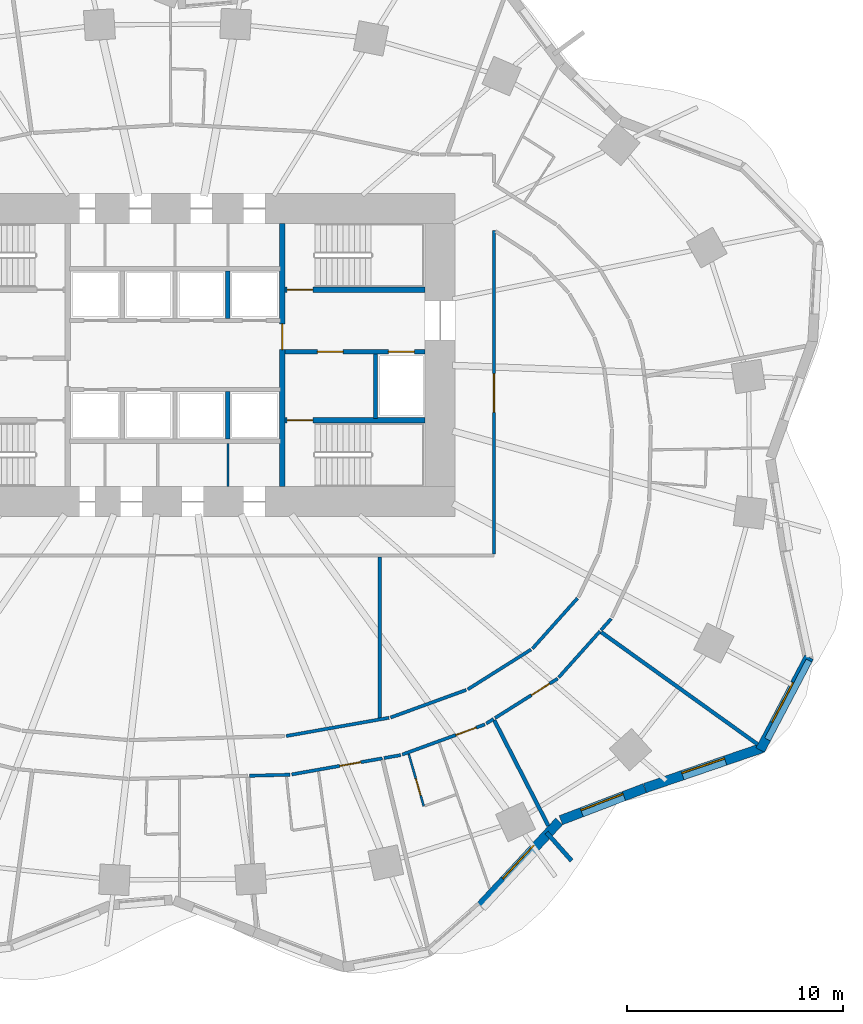
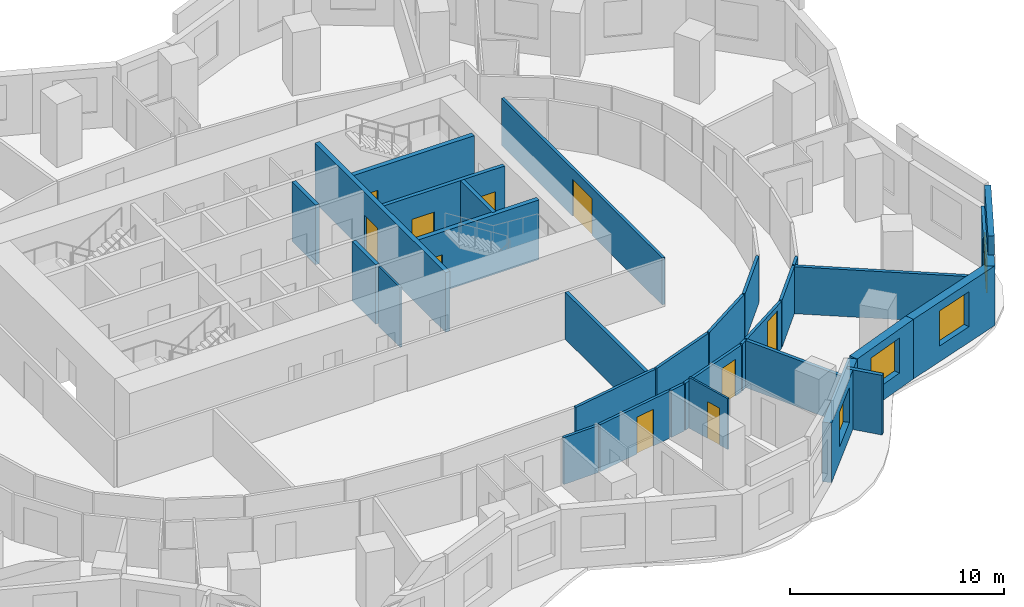
# One storey, part 6 of 11: 31 walls, 10 doors, 4 windows, 14 openings.
"""IFC4 building model written with IfcOpenShell, lengths in metres."""

from ifc_helpers import new_model, si_unit, direction, frame, frame_2d, origin, place, context, subcontext, project, spatial, rectangle, extrude, material, layer, layer_set, type_object, element, fill, save


model = new_model("IFC4")

# Units and contexts
model_context = context("Model", 3, precision=1e-05, world=origin(), true_north=direction((0.0, 1.0)))
body_context = subcontext(model_context, "Body", "Model", "MODEL_VIEW")
ifc_project = project(units=[si_unit("LENGTHUNIT", "METRE"), si_unit("AREAUNIT", "SQUARE_METRE"), si_unit("VOLUMEUNIT", "CUBIC_METRE"), si_unit("PLANEANGLEUNIT", "RADIAN"), si_unit("MASSUNIT", "GRAM", prefix="KILO")], contexts=[model_context])

# Site, building, storey
site_placement = place(None, origin())
site = spatial("IfcSite", under=ifc_project, at=site_placement, CompositionType="ELEMENT")
building_placement = place(site_placement, origin())
building = spatial("IfcBuilding", under=site, at=building_placement, Name="Rubra Terraces Tower", CompositionType="ELEMENT")
storey_placement = place(building_placement, frame((0.0, 0.0, 51.89990234375)))
storey = spatial("IfcBuildingStorey", under=building, at=storey_placement, Name="L10", CompositionType="ELEMENT", Elevation=51.89990234375)

# Walls
ifc_material_1 = material(Name="Twin plasterboard on staggered steel stud, acoustic mineral wool", Category="steel")
ifc_layer_1 = layer(ifc_material_1, 0.175048828125)
ifc_layer_set_1 = layer_set([ifc_layer_1], Name="Twin plasterboard on staggered steel stud, acoustic mineral wool")
wall_type_1 = type_object("IfcWallType", Name="ACOUSTIC PARTY WALL 175", PredefinedType="PARTITIONING", material=ifc_layer_set_1)
wall_1_placement = place(storey_placement, frame((17.322021484375, -17.347412109375, 0.0), z_axis=(0.0, 0.0, 1.0), x_axis=(-0.455844974843, 0.890059188431, 0.0)))
element("IfcWall", 1, at=wall_1_placement, inside=storey, type_object=wall_type_1, Name="PARTITION", PredefinedType="PARTITIONING", context=body_context, shape_type="SweptSolid", body=[
    extrude(rectangle(XDim=5.49658203125, YDim=0.175048828125, at=frame_2d((2.748291015625, 0.0))), origin(), (0.0, 0.0, 1.0), 2.68017578125),
])
wall_2_placement = place(storey_placement, frame((27.03271484375, -13.5654296875, 0.0), z_axis=(0.0, 0.0, 1.0), x_axis=(-0.812688040514, 0.58269902077, 0.0)))
element("IfcWall", 2, at=wall_2_placement, inside=storey, type_object=wall_type_1, Name="PARTITION", PredefinedType="PARTITIONING", context=body_context, shape_type="SweptSolid", body=[
    extrude(rectangle(XDim=8.926513671875, YDim=0.175048828125, at=frame_2d((4.46337890625, 0.0))), origin(), (0.0, 0.0, 1.0), 2.68017578125),
])
wall_3_placement = place(storey_placement, frame((9.5, -12.335205078125, 0.0), z_axis=(0.0, 0.0, 1.0), x_axis=(0.0, 1.0, 0.0)))
element("IfcWall", 3, at=wall_3_placement, inside=storey, type_object=wall_type_1, Name="PARTITION", PredefinedType="PARTITIONING", context=body_context, shape_type="SweptSolid", body=[
    extrude(rectangle(XDim=7.460205078125, YDim=0.175048828125, at=frame_2d((3.72998046875, 0.0))), origin(), (0.0, 0.0, 1.0), 2.68017578125),
])

# Wall, opening, window
ifc_material_2 = material(Name="Brick masonry red-brown", Category="masonry")
ifc_layer_2 = layer(ifc_material_2, 0.449951171875)
ifc_layer_set_2 = layer_set([ifc_layer_2], Name="Brick masonry red-brown")
wall_type_2 = type_object("IfcWallType", Name="Brick facade wall 450", PredefinedType="SOLIDWALL", material=ifc_layer_set_2)
wall_4_placement = place(storey_placement, frame((14.177490234375, -21.066162109375, 0.0), z_axis=(0.0, 0.0, 1.0), x_axis=(0.680847709714, 0.732425010617, 0.0)))
wall_4 = element("IfcWall", 4, at=wall_4_placement, inside=storey, type_object=wall_type_2, Name="Facade wall L10 bay 35", PredefinedType="SOLIDWALL", context=body_context, shape_type="SweptSolid", body=[
    extrude(rectangle(XDim=5.3583984375, YDim=0.449951171875, at=frame_2d((2.67919921875, 0.0))), origin(), (0.0, 0.0, 1.0), 3.400146484375),
])
opening_1_placement = place(wall_4_placement, frame((1.629150390625, 0.0, 0.89990234375)))
opening_1 = element("IfcOpeningElement", 5, at=opening_1_placement, cuts=wall_4, Name="Opening W1", PredefinedType="OPENING", context=body_context, shape_type="SweptSolid", body=[
    extrude(rectangle(XDim=2.10009765625, YDim=2.0, at=frame_2d((1.050048828125, 1.0))), frame((0.0, 0.23486328125, 0.0), z_axis=(0.0, -1.0, 0.0), x_axis=(1.0, 0.0, 0.0)), (0.0, 0.0, 1.0), 0.469970703125),
])
ifc_material_3 = material(Name="Clear glass in aluminium frame", Category="aluminium")
window_type = type_object("IfcWindowType", Name="Fixed deep-set window 2100 x 2000", PartitioningType="SINGLE_PANEL", PredefinedType="WINDOW", material=ifc_material_3)
window_1_placement = place(opening_1_placement, origin())
window_1 = element("IfcWindow", 6, at=window_1_placement, inside=storey, type_object=window_type, Name="Window L10 bay 35", OverallHeight=2.0, OverallWidth=2.10009765625, PartitioningType="SINGLE_PANEL", PredefinedType="WINDOW", context=body_context, shape_type="SweptSolid", body=[
    extrude(rectangle(XDim=2.10009765625, YDim=2.0, at=frame_2d((1.050048828125, 1.0))), frame((0.0, 0.135009765625, 0.0), z_axis=(0.0, -1.0, 0.0), x_axis=(1.0, 0.0, 0.0)), (0.0, 0.0, 1.0), 0.06005859375),
])
fill(opening_1, window_1)

wall_5_placement = place(storey_placement, frame((17.9033203125, -17.08740234375, 0.0), z_axis=(0.0, 0.0, 1.0), x_axis=(0.934145554025, 0.356892258105, 0.0)))
wall_5 = element("IfcWall", 7, at=wall_5_placement, inside=storey, type_object=wall_type_2, Name="Facade wall L10 bay 36", PredefinedType="SOLIDWALL", context=body_context, shape_type="SweptSolid", body=[
    extrude(rectangle(XDim=4.16455078125, YDim=0.449951171875, at=frame_2d((2.082275390625, 0.0))), origin(), (0.0, 0.0, 1.0), 3.400146484375),
])
opening_2_placement = place(wall_5_placement, frame((1.0322265625, 0.0, 0.89990234375)))
opening_2 = element("IfcOpeningElement", 8, at=opening_2_placement, cuts=wall_5, Name="Opening W1", PredefinedType="OPENING", context=body_context, shape_type="SweptSolid", body=[
    extrude(rectangle(XDim=2.10009765625, YDim=2.0, at=frame_2d((1.050048828125, 1.0))), frame((0.0, 0.23486328125, 0.0), z_axis=(0.0, -1.0, 0.0), x_axis=(1.0, 0.0, 0.0)), (0.0, 0.0, 1.0), 0.469970703125),
])
window_2_placement = place(opening_2_placement, origin())
window_2 = element("IfcWindow", 9, at=window_2_placement, inside=storey, type_object=window_type, Name="Window L10 bay 36", OverallHeight=2.0, OverallWidth=2.10009765625, PartitioningType="SINGLE_PANEL", PredefinedType="WINDOW", context=body_context, shape_type="SweptSolid", body=[
    extrude(rectangle(XDim=2.10009765625, YDim=2.0, at=frame_2d((1.050048828125, 1.0))), frame((0.0, 0.135009765625, 0.0), z_axis=(0.0, -1.0, 0.0), x_axis=(1.0, 0.0, 0.0)), (0.0, 0.0, 1.0), 0.06005859375),
])
fill(opening_2, window_2)

wall_6_placement = place(storey_placement, frame((21.802978515625, -15.597412109375, 0.0), z_axis=(0.0, 0.0, 1.0), x_axis=(0.946115314877, 0.323829910532, 0.0)))
wall_6 = element("IfcWall", 10, at=wall_6_placement, inside=storey, type_object=wall_type_2, Name="Facade wall L10 bay 37", PredefinedType="SOLIDWALL", context=body_context, shape_type="SweptSolid", body=[
    extrude(rectangle(XDim=5.782470703125, YDim=0.449951171875, at=frame_2d((2.89111328125, 0.0))), origin(), (0.0, 0.0, 1.0), 3.400146484375),
])
opening_3_placement = place(wall_6_placement, frame((1.84130859375, 0.0, 0.89990234375)))
opening_3 = element("IfcOpeningElement", 11, at=opening_3_placement, cuts=wall_6, Name="Opening W1", PredefinedType="OPENING", context=body_context, shape_type="SweptSolid", body=[
    extrude(rectangle(XDim=2.10009765625, YDim=2.0, at=frame_2d((1.050048828125, 1.0))), frame((0.0, 0.23486328125, 0.0), z_axis=(0.0, -1.0, 0.0), x_axis=(1.0, 0.0, 0.0)), (0.0, 0.0, 1.0), 0.469970703125),
])
window_3_placement = place(opening_3_placement, origin())
window_3 = element("IfcWindow", 12, at=window_3_placement, inside=storey, type_object=window_type, Name="Window L10 bay 37", OverallHeight=2.0, OverallWidth=2.10009765625, PartitioningType="SINGLE_PANEL", PredefinedType="WINDOW", context=body_context, shape_type="SweptSolid", body=[
    extrude(rectangle(XDim=2.10009765625, YDim=2.0, at=frame_2d((1.050048828125, 1.0))), frame((0.0, 0.135009765625, 0.0), z_axis=(0.0, -1.0, 0.0), x_axis=(1.0, 0.0, 0.0)), (0.0, 0.0, 1.0), 0.06005859375),
])
fill(opening_3, window_3)

wall_7_placement = place(storey_placement, frame((27.15283203125, -13.831298828125, 0.0), z_axis=(0.0, 0.0, 1.0), x_axis=(0.465165872942, 0.885223537108, 0.0)))
wall_7 = element("IfcWall", 13, at=wall_7_placement, inside=storey, type_object=wall_type_2, Name="Facade wall L10 bay 38", PredefinedType="SOLIDWALL", context=body_context, shape_type="SweptSolid", body=[
    extrude(rectangle(XDim=4.87109375, YDim=0.449951171875, at=frame_2d((2.435546875, 0.0))), origin(), (0.0, 0.0, 1.0), 3.400146484375),
])
opening_4_placement = place(wall_7_placement, frame((1.385498046875, 0.0, 0.89990234375)))
opening_4 = element("IfcOpeningElement", 14, at=opening_4_placement, cuts=wall_7, Name="Opening W1", PredefinedType="OPENING", context=body_context, shape_type="SweptSolid", body=[
    extrude(rectangle(XDim=2.10009765625, YDim=2.0, at=frame_2d((1.050048828125, 1.0))), frame((0.0, 0.23486328125, 0.0), z_axis=(0.0, -1.0, 0.0), x_axis=(1.0, 0.0, 0.0)), (0.0, 0.0, 1.0), 0.469970703125),
])
window_4_placement = place(opening_4_placement, origin())
window_4 = element("IfcWindow", 15, at=window_4_placement, inside=storey, type_object=window_type, Name="Window L10 bay 38", OverallHeight=2.0, OverallWidth=2.10009765625, PartitioningType="SINGLE_PANEL", PredefinedType="WINDOW", context=body_context, shape_type="SweptSolid", body=[
    extrude(rectangle(XDim=2.10009765625, YDim=2.0, at=frame_2d((1.050048828125, 1.0))), frame((0.0, 0.135009765625, 0.0), z_axis=(0.0, -1.0, 0.0), x_axis=(1.0, 0.0, 0.0)), (0.0, 0.0, 1.0), 0.06005859375),
])
fill(opening_4, window_4)

# Walls
ifc_layer_3 = layer(ifc_material_2, 0.300048828125)
ifc_layer_set_3 = layer_set([ifc_layer_3], Name="Brick masonry red-brown")
wall_type_3 = type_object("IfcWallType", Name="Brick parapet 300", PredefinedType="PARAPET", material=ifc_layer_set_3)
wall_8_placement = place(storey_placement, frame((27.495361328125, -13.3408203125, 3.60009765625), z_axis=(0.0, 0.0, 1.0), x_axis=(0.46519687666, 0.88520724463, 0.0)))
element("IfcWall", 16, at=wall_8_placement, inside=storey, type_object=wall_type_3, Name="Parapet L10 bay 38", PredefinedType="PARAPET", context=body_context, shape_type="SweptSolid", body=[
    extrude(rectangle(XDim=4.138671875, YDim=0.300048828125, at=frame_2d((2.0693359375, 0.0))), origin(), (0.0, 0.0, 1.0), 1.10009765625),
])
ifc_layer_4 = layer(ifc_material_2, 0.199951171875)
ifc_layer_set_4 = layer_set([ifc_layer_4], Name="Brick masonry red-brown")
wall_type_4 = type_object("IfcWallType", Name="Brick wind fin 200", PredefinedType="SOLIDWALL", material=ifc_layer_set_4)
wall_9_placement = place(storey_placement, frame((17.239990234375, -17.659912109375, 0.0), z_axis=(0.0, 0.0, 1.0), x_axis=(0.664017424016, -0.747717099312, 0.0)))
element("IfcWall", 17, at=wall_9_placement, inside=storey, type_object=wall_type_4, Name="Wind fin L10 21", PredefinedType="SOLIDWALL", context=body_context, shape_type="SweptSolid", body=[
    extrude(rectangle(XDim=1.75, YDim=0.199951171875, at=frame_2d((0.875, 0.0))), origin(), (0.0, 0.0, 1.0), 3.400146484375),
])
ifc_material_4 = material(Name="Plasterboard on steel stud, mineral wool infill", Category="steel")
ifc_layer_5 = layer(ifc_material_4, 0.14990234375)
ifc_layer_set_5 = layer_set([ifc_layer_5], Name="Plasterboard on steel stud, mineral wool infill")
wall_type_5 = type_object("IfcWallType", Name="CORRIDOR PARTITION 150", PredefinedType="PARTITIONING", material=ifc_layer_set_5)
wall_10_placement = place(storey_placement, frame((3.44775390625, -15.025390625, 0.0), z_axis=(0.0, 0.0, 1.0), x_axis=(0.999663410965, 0.025943492008, 0.0)))
element("IfcWall", 18, at=wall_10_placement, inside=storey, type_object=wall_type_5, Name="PARTITION", PredefinedType="PARTITIONING", context=body_context, shape_type="SweptSolid", body=[
    extrude(rectangle(XDim=1.8916015625, YDim=0.14990234375, at=frame_2d((0.94580078125, 0.0))), origin(), (0.0, 0.0, 1.0), 2.68017578125),
])

# Wall, opening, door
wall_11_placement = place(storey_placement, frame((5.41259765625, -14.963134765625, 0.0), z_axis=(0.0, 0.0, 1.0), x_axis=(0.984637058407, 0.174613468012, 0.0)))
wall_11 = element("IfcWall", 19, at=wall_11_placement, inside=storey, type_object=wall_type_5, Name="PARTITION", PredefinedType="PARTITIONING", context=body_context, shape_type="SweptSolid", body=[
    extrude(rectangle(XDim=4.271484375, YDim=0.14990234375, at=frame_2d((2.1357421875, 0.0))), origin(), (0.0, 0.0, 1.0), 2.68017578125),
])
opening_5_placement = place(wall_11_placement, frame((2.260986328125, 0.0, 0.0)))
opening_5 = element("IfcOpeningElement", 20, at=opening_5_placement, cuts=wall_11, Name="Opening 10-121", PredefinedType="OPENING", context=body_context, shape_type="SweptSolid", body=[
    extrude(rectangle(XDim=1.0, YDim=2.10009765625, at=frame_2d((0.5, 1.050048828125))), frame((0.0, 0.0849609375, 0.0), z_axis=(0.0, -1.0, 0.0), x_axis=(1.0, 0.0, 0.0)), (0.0, 0.0, 1.0), 0.169921875),
])
ifc_material_5 = material(Name="Painted timber door leaf", Category="wood")
door_type_1 = type_object("IfcDoorType", Name="ROOM DOOR 1000 X 2100", OperationType="SINGLE_SWING_LEFT", PredefinedType="DOOR", material=ifc_material_5)
door_1_placement = place(opening_5_placement, origin())
door_1 = element("IfcDoor", 21, at=door_1_placement, inside=storey, type_object=door_type_1, Name="DOOR 10-121", OperationType="SINGLE_SWING_RIGHT", OverallHeight=2.10009765625, OverallWidth=1.0, PredefinedType="DOOR", context=body_context, shape_type="SweptSolid", body=[
    extrude(rectangle(XDim=1.0, YDim=2.10009765625, at=frame_2d((0.5, 1.050048828125))), frame((0.0, 0.02490234375, 0.0), z_axis=(0.0, -1.0, 0.0), x_axis=(1.0, 0.0, 0.0)), (0.0, 0.0, 1.0), 0.050048828125),
])
fill(opening_5, door_1)

# Wall
wall_12_placement = place(storey_placement, frame((9.6923828125, -14.2041015625, 0.0), z_axis=(0.0, 0.0, 1.0), x_axis=(0.984624975399, 0.174681589816, 0.0)))
element("IfcWall", 22, at=wall_12_placement, inside=storey, type_object=wall_type_5, Name="PARTITION", PredefinedType="PARTITIONING", context=body_context, shape_type="SweptSolid", body=[
    extrude(rectangle(XDim=0.79248046875, YDim=0.14990234375, at=frame_2d((0.396240234375, 0.0))), origin(), (0.0, 0.0, 1.0), 2.68017578125),
])

# Wall, opening, door
wall_13_placement = place(storey_placement, frame((10.543212890625, -14.0400390625, 0.0), z_axis=(0.0, 0.0, 1.0), x_axis=(0.939576705301, 0.342338450741, 0.0)))
wall_13 = element("IfcWall", 23, at=wall_13_placement, inside=storey, type_object=wall_type_5, Name="PARTITION", PredefinedType="PARTITIONING", context=body_context, shape_type="SweptSolid", body=[
    extrude(rectangle(XDim=4.08203125, YDim=0.14990234375, at=frame_2d((2.041015625, 0.0))), origin(), (0.0, 0.0, 1.0), 2.68017578125),
])
opening_6_placement = place(wall_13_placement, frame((2.64990234375, 0.0, 0.0)))
opening_6 = element("IfcOpeningElement", 24, at=opening_6_placement, cuts=wall_13, Name="Opening 10-124", PredefinedType="OPENING", context=body_context, shape_type="SweptSolid", body=[
    extrude(rectangle(XDim=1.0, YDim=2.10009765625, at=frame_2d((0.5, 1.050048828125))), frame((0.0, 0.0849609375, 0.0), z_axis=(0.0, -1.0, 0.0), x_axis=(1.0, 0.0, 0.0)), (0.0, 0.0, 1.0), 0.169921875),
])
door_2_placement = place(opening_6_placement, origin())
door_2 = element("IfcDoor", 25, at=door_2_placement, inside=storey, type_object=door_type_1, Name="DOOR 10-124", OperationType="SINGLE_SWING_RIGHT", OverallHeight=2.10009765625, OverallWidth=1.0, PredefinedType="DOOR", context=body_context, shape_type="SweptSolid", body=[
    extrude(rectangle(XDim=1.0, YDim=2.10009765625, at=frame_2d((0.5, 1.050048828125))), frame((0.0, 0.02490234375, 0.0), z_axis=(0.0, -1.0, 0.0), x_axis=(1.0, 0.0, 0.0)), (0.0, 0.0, 1.0), 0.050048828125),
])
fill(opening_6, door_2)

# Wall
wall_14_placement = place(storey_placement, frame((14.442138671875, -12.602783203125, 0.0), z_axis=(0.0, 0.0, 1.0), x_axis=(0.845806400094, 0.533489956381, 0.0)))
element("IfcWall", 26, at=wall_14_placement, inside=storey, type_object=wall_type_5, Name="PARTITION", PredefinedType="PARTITIONING", context=body_context, shape_type="SweptSolid", body=[
    extrude(rectangle(XDim=0.40185546875, YDim=0.14990234375, at=frame_2d((0.200927734375, 0.0))), origin(), (0.0, 0.0, 1.0), 2.68017578125),
])

# Wall, opening, door
wall_15_placement = place(storey_placement, frame((14.845703125, -12.348388671875, 0.0), z_axis=(0.0, 0.0, 1.0), x_axis=(0.846001508251, 0.533180502304, 0.0)))
wall_15 = element("IfcWall", 27, at=wall_15_placement, inside=storey, type_object=wall_type_5, Name="PARTITION", PredefinedType="PARTITIONING", context=body_context, shape_type="SweptSolid", body=[
    extrude(rectangle(XDim=3.43798828125, YDim=0.14990234375, at=frame_2d((1.718994140625, 0.0))), origin(), (0.0, 0.0, 1.0), 2.68017578125),
])
opening_7_placement = place(wall_15_placement, frame((2.0, 0.0, 0.0)))
opening_7 = element("IfcOpeningElement", 28, at=opening_7_placement, cuts=wall_15, Name="Opening 10-125", PredefinedType="OPENING", context=body_context, shape_type="SweptSolid", body=[
    extrude(rectangle(XDim=1.0, YDim=2.39990234375, at=frame_2d((0.5, 1.199951171875))), frame((0.0, 0.0849609375, 0.0), z_axis=(0.0, -1.0, 0.0), x_axis=(1.0, 0.0, 0.0)), (0.0, 0.0, 1.0), 0.169921875),
])
ifc_material_6 = material(Name="Glazed aluminium meeting door leaf", Category="aluminium")
door_type_2 = type_object("IfcDoorType", Name="MEETING ROOM GLAZED DOOR 1000 X 2400", OperationType="SINGLE_SWING_LEFT", PredefinedType="DOOR", material=ifc_material_6)
door_3_placement = place(opening_7_placement, origin())
door_3 = element("IfcDoor", 29, at=door_3_placement, inside=storey, type_object=door_type_2, Name="DOOR 10-125", OperationType="SINGLE_SWING_RIGHT", OverallHeight=2.39990234375, OverallWidth=1.0, PredefinedType="DOOR", context=body_context, shape_type="SweptSolid", body=[
    extrude(rectangle(XDim=1.0, YDim=2.39990234375, at=frame_2d((0.5, 1.199951171875))), frame((0.0, 0.02490234375, 0.0), z_axis=(0.0, -1.0, 0.0), x_axis=(1.0, 0.0, 0.0)), (0.0, 0.0, 1.0), 0.050048828125),
])
fill(opening_7, door_3)

# Walls
wall_16_placement = place(storey_placement, frame((17.80419921875, -10.459716796875, 0.0), z_axis=(0.0, 0.0, 1.0), x_axis=(0.666578501565, 0.745434840379, 0.0)))
element("IfcWall", 30, at=wall_16_placement, inside=storey, type_object=wall_type_5, Name="PARTITION", PredefinedType="PARTITIONING", context=body_context, shape_type="SweptSolid", body=[
    extrude(rectangle(XDim=2.8701171875, YDim=0.14990234375, at=frame_2d((1.43505859375, 0.0))), origin(), (0.0, 0.0, 1.0), 2.68017578125),
])
wall_17_placement = place(storey_placement, frame((19.767333984375, -8.264404296875, 0.0), z_axis=(0.0, 0.0, 1.0), x_axis=(0.666633300143, 0.745385835082, 0.0)))
element("IfcWall", 31, at=wall_17_placement, inside=storey, type_object=wall_type_5, Name="PARTITION", PredefinedType="PARTITIONING", context=body_context, shape_type="SweptSolid", body=[
    extrude(rectangle(XDim=0.706787109375, YDim=0.14990234375, at=frame_2d((0.353515625, 0.0))), origin(), (0.0, 0.0, 1.0), 2.68017578125),
])
wall_18_placement = place(storey_placement, frame((18.673095703125, -6.78759765625, 0.0), z_axis=(0.0, 0.0, 1.0), x_axis=(-0.666610670036, -0.745406073623, 0.0)))
element("IfcWall", 32, at=wall_18_placement, inside=storey, type_object=wall_type_5, Name="PARTITION", PredefinedType="PARTITIONING", context=body_context, shape_type="SweptSolid", body=[
    extrude(rectangle(XDim=3.138671875, YDim=0.14990234375, at=frame_2d((1.5693359375, 0.0))), origin(), (0.0, 0.0, 1.0), 2.68017578125),
])
wall_19_placement = place(storey_placement, frame((16.517333984375, -9.167236328125, 0.0), z_axis=(0.0, 0.0, 1.0), x_axis=(-0.846000117603, -0.533182708849, 0.0)))
element("IfcWall", 33, at=wall_19_placement, inside=storey, type_object=wall_type_5, Name="PARTITION", PredefinedType="PARTITIONING", context=body_context, shape_type="SweptSolid", body=[
    extrude(rectangle(XDim=3.469970703125, YDim=0.14990234375, at=frame_2d((1.73486328125, 0.0))), origin(), (0.0, 0.0, 1.0), 2.68017578125),
])
wall_20_placement = place(storey_placement, frame((13.51123046875, -11.04296875, 0.0), z_axis=(0.0, 0.0, 1.0), x_axis=(-0.939583191704, -0.342320647736, 0.0)))
element("IfcWall", 34, at=wall_20_placement, inside=storey, type_object=wall_type_5, Name="PARTITION", PredefinedType="PARTITIONING", context=body_context, shape_type="SweptSolid", body=[
    extrude(rectangle(XDim=3.73291015625, YDim=0.14990234375, at=frame_2d((1.866455078125, 0.0))), origin(), (0.0, 0.0, 1.0), 2.68017578125),
])
wall_21_placement = place(storey_placement, frame((9.93017578125, -12.333984375, 0.0), z_axis=(0.0, 0.0, 1.0), x_axis=(-0.984638212434, -0.174606960386, 0.0)))
element("IfcWall", 35, at=wall_21_placement, inside=storey, type_object=wall_type_5, Name="PARTITION", PredefinedType="PARTITIONING", context=body_context, shape_type="SweptSolid", body=[
    extrude(rectangle(XDim=4.84765625, YDim=0.14990234375, at=frame_2d((2.423828125, 0.0))), origin(), (0.0, 0.0, 1.0), 2.68017578125),
])

# Wall, opening, door
wall_22_placement = place(storey_placement, frame((14.800048828125, -4.72509765625, 0.0), z_axis=(0.0, 0.0, 1.0), x_axis=(0.0, 1.0, 0.0)))
wall_22 = element("IfcWall", 36, at=wall_22_placement, inside=storey, type_object=wall_type_5, Name="PARTITION", PredefinedType="PARTITIONING", context=body_context, shape_type="SweptSolid", body=[
    extrude(rectangle(XDim=15.00830078125, YDim=0.14990234375, at=frame_2d((7.504150390625, 0.0))), origin(), (0.0, 0.0, 1.0), 2.68017578125),
])
opening_8_placement = place(wall_22_placement, frame((6.56591796875, 0.0, 0.0)))
opening_8 = element("IfcOpeningElement", 37, at=opening_8_placement, cuts=wall_22, Name="Opening 10-137", PredefinedType="OPENING", context=body_context, shape_type="SweptSolid", body=[
    extrude(rectangle(XDim=1.800048828125, YDim=2.10009765625, at=frame_2d((0.89990234375, 1.050048828125))), frame((0.0, 0.0849609375, 0.0), z_axis=(0.0, -1.0, 0.0), x_axis=(1.0, 0.0, 0.0)), (0.0, 0.0, 1.0), 0.169921875),
])
ifc_material_7 = material(Name="Painted timber door leaf, double", Category="wood")
door_type_3 = type_object("IfcDoorType", Name="ROOM DOUBLE DOOR 1800 X 2100", OperationType="DOUBLE_DOOR_SINGLE_SWING", PredefinedType="DOOR", material=ifc_material_7)
door_4_placement = place(opening_8_placement, origin())
door_4 = element("IfcDoor", 38, at=door_4_placement, inside=storey, type_object=door_type_3, Name="DOOR 10-137", OperationType="DOUBLE_DOOR_SINGLE_SWING", OverallHeight=2.10009765625, OverallWidth=1.800048828125, PredefinedType="DOOR", context=body_context, shape_type="SweptSolid", body=[
    extrude(rectangle(XDim=1.800048828125, YDim=2.10009765625, at=frame_2d((0.89990234375, 1.050048828125))), frame((0.0, 0.02490234375, 0.0), z_axis=(0.0, -1.0, 0.0), x_axis=(1.0, 0.0, 0.0)), (0.0, 0.0, 1.0), 0.050048828125),
])
fill(opening_8, door_4)

# Wall, openings, doors
ifc_material_8 = material(Name="Concrete C30", Category="concrete")
ifc_layer_6 = layer(ifc_material_8, 0.199951171875)
ifc_layer_set_6 = layer_set([ifc_layer_6], Name="Concrete C30")
wall_type_6 = type_object("IfcWallType", Name="Core wall 200 concrete", PredefinedType="SOLIDWALL", material=ifc_layer_set_6)
wall_23_placement = place(storey_placement, frame((11.60009765625, 4.64990234375, 0.0), z_axis=(0.0, 0.0, 1.0), x_axis=(-1.0, 0.0, 0.0)))
wall_23 = element("IfcWall", 39, at=wall_23_placement, inside=storey, type_object=wall_type_6, Name="STAIR WALL L10", PredefinedType="SOLIDWALL", context=body_context, shape_type="SweptSolid", body=[
    extrude(rectangle(XDim=6.5, YDim=0.199951171875, at=frame_2d((3.25, 0.0))), origin(), (0.0, 0.0, 1.0), 3.400146484375),
])
opening_9_placement = place(wall_23_placement, frame((3.800048828125, 0.0, 0.0)))
opening_9 = element("IfcOpeningElement", 40, at=opening_9_placement, cuts=wall_23, Name="Opening L10.C06", PredefinedType="OPENING", context=body_context, shape_type="SweptSolid", body=[
    extrude(rectangle(XDim=1.199951171875, YDim=2.10009765625, at=frame_2d((0.60009765625, 1.050048828125))), frame((0.0, 0.10986328125, 0.0), z_axis=(0.0, -1.0, 0.0), x_axis=(1.0, 0.0, 0.0)), (0.0, 0.0, 1.0), 0.219970703125),
])
opening_10_placement = place(wall_23_placement, frame((0.5, 0.0, 0.0)))
opening_10 = element("IfcOpeningElement", 41, at=opening_10_placement, cuts=wall_23, Name="Opening L10.C12", PredefinedType="OPENING", context=body_context, shape_type="SweptSolid", body=[
    extrude(rectangle(XDim=1.199951171875, YDim=2.10009765625, at=frame_2d((0.60009765625, 1.050048828125))), frame((0.0, 0.10986328125, 0.0), z_axis=(0.0, -1.0, 0.0), x_axis=(1.0, 0.0, 0.0)), (0.0, 0.0, 1.0), 0.219970703125),
])
ifc_material_9 = material(Name="Painted steel", Category="steel")
door_type_4 = type_object("IfcDoorType", Name="Fire door 1200x2100 single", OperationType="NOTDEFINED", PredefinedType="DOOR", material=ifc_material_9)
door_5_placement = place(opening_9_placement, origin())
door_5 = element("IfcDoor", 42, at=door_5_placement, inside=storey, type_object=door_type_4, Name="Stair vestibule door S4", OperationType="SINGLE_SWING_RIGHT", OverallHeight=2.10009765625, OverallWidth=1.199951171875, PredefinedType="DOOR", context=body_context, shape_type="SweptSolid", body=[
    extrude(rectangle(XDim=1.199951171875, YDim=2.10009765625, at=frame_2d((0.60009765625, 1.050048828125))), frame((0.0, 0.02490234375, 0.0), z_axis=(0.0, -1.0, 0.0), x_axis=(1.0, 0.0, 0.0)), (0.0, 0.0, 1.0), 0.050048828125),
])
fill(opening_9, door_5)
ifc_material_10 = material(Name="Stainless steel", Category="steel")
door_type_5 = type_object("IfcDoorType", Name="Lift landing door 1200x2100", OperationType="NOTDEFINED", PredefinedType="DOOR", material=ifc_material_10)
door_6_placement = place(opening_10_placement, origin())
door_6 = element("IfcDoor", 43, at=door_6_placement, inside=storey, type_object=door_type_5, Name="Landing door FF2", OperationType="SLIDING_TO_RIGHT", OverallHeight=2.10009765625, OverallWidth=1.199951171875, PredefinedType="DOOR", context=body_context, shape_type="SweptSolid", body=[
    extrude(rectangle(XDim=1.199951171875, YDim=2.10009765625, at=frame_2d((0.60009765625, 1.050048828125))), frame((0.0, 0.02490234375, 0.0), z_axis=(0.0, -1.0, 0.0), x_axis=(1.0, 0.0, 0.0)), (0.0, 0.0, 1.0), 0.050048828125),
])
fill(opening_10, door_6)

# Walls
wall_24_placement = place(storey_placement, frame((9.300048828125, 4.550048828125, 0.0), z_axis=(0.0, 0.0, 1.0), x_axis=(0.0, -1.0, 0.0)))
element("IfcWall", 44, at=wall_24_placement, inside=storey, type_object=wall_type_6, Name="STAIR WALL L10", PredefinedType="SOLIDWALL", context=body_context, shape_type="SweptSolid", body=[
    extrude(rectangle(XDim=3.0, YDim=0.199951171875, at=frame_2d((1.5, 0.0))), origin(), (0.0, 0.0, 1.0), 3.400146484375),
])
for number, where, z_axis, x_axis, name in (
    (45, (2.449951171875, 0.60009765625, 0.0), (0.0, 0.0, 1.0), (0.0, 1.0, 0.0), "LIFT SHAFT WALL L10"),
    (46, (2.449951171875, 6.199951171875, 0.0), (0.0, 0.0, 1.0), (0.0, 1.0, 0.0), "LIFT SHAFT WALL L10"),
):
    element("IfcWall", number, at=place(storey_placement, frame(where, z_axis=z_axis, x_axis=x_axis)), inside=storey, type_object=wall_type_6, Name=name, PredefinedType="SOLIDWALL", context=body_context, shape_type="SweptSolid", body=[
        extrude(rectangle(XDim=2.199951171875, YDim=0.199951171875, at=frame_2d((1.10009765625, 0.0))), origin(), (0.0, 0.0, 1.0), 3.400146484375),
    ])

# Wall, opening, door
ifc_material_11 = material(Name="Plasterboard on steel stud", Category="steel")
ifc_layer_7 = layer(ifc_material_11, 0.10009765625)
ifc_layer_set_7 = layer_set([ifc_layer_7], Name="Plasterboard on steel stud")
wall_type_7 = type_object("IfcWallType", Name="ROOM PARTITION 100", PredefinedType="PARTITIONING", material=ifc_layer_set_7)
wall_25_placement = place(storey_placement, frame((10.84326171875, -14.01025390625, 0.0), z_axis=(0.0, 0.0, 1.0), x_axis=(0.275653202558, -0.961257151817, 0.0)))
wall_25 = element("IfcWall", 47, at=wall_25_placement, inside=storey, type_object=wall_type_7, Name="PARTITION", PredefinedType="PARTITIONING", context=body_context, shape_type="SweptSolid", body=[
    extrude(rectangle(XDim=2.525146484375, YDim=0.10009765625, at=frame_2d((1.2626953125, 0.0))), origin(), (0.0, 0.0, 1.0), 2.898193359375),
])
opening_11_placement = place(wall_25_placement, frame((1.199951171875, 0.0, 0.0)))
opening_11 = element("IfcOpeningElement", 48, at=opening_11_placement, cuts=wall_25, Name="Opening 10-122", PredefinedType="OPENING", context=body_context, shape_type="SweptSolid", body=[
    extrude(rectangle(XDim=0.800048828125, YDim=2.10009765625, at=frame_2d((0.39990234375, 1.050048828125))), frame((0.0, 0.06005859375, 0.0), z_axis=(0.0, -1.0, 0.0), x_axis=(1.0, 0.0, 0.0)), (0.0, 0.0, 1.0), 0.1201171875),
])
door_type_6 = type_object("IfcDoorType", Name="BATHROOM DOOR 800 X 2100", OperationType="SINGLE_SWING_LEFT", PredefinedType="DOOR", material=ifc_material_5)
door_7_placement = place(opening_11_placement, origin())
door_7 = element("IfcDoor", 49, at=door_7_placement, inside=storey, type_object=door_type_6, Name="DOOR 10-122", OperationType="SINGLE_SWING_LEFT", OverallHeight=2.10009765625, OverallWidth=0.800048828125, PredefinedType="DOOR", context=body_context, shape_type="SweptSolid", body=[
    extrude(rectangle(XDim=0.800048828125, YDim=2.10009765625, at=frame_2d((0.39990234375, 1.050048828125))), frame((0.0, 0.02490234375, 0.0), z_axis=(0.0, -1.0, 0.0), x_axis=(1.0, 0.0, 0.0)), (0.0, 0.0, 1.0), 0.050048828125),
])
fill(opening_11, door_7)

# Wall
ifc_material_12 = material(Name="Blockwork", Category="masonry")
ifc_layer_8 = layer(ifc_material_12, 0.10009765625)
ifc_layer_set_8 = layer_set([ifc_layer_8], Name="Blockwork")
wall_type_8 = type_object("IfcWallType", Name="Service partition 100 blockwork", PredefinedType="PARTITIONING", material=ifc_layer_set_8)
wall_26_placement = place(storey_placement, frame((2.449951171875, -1.60009765625, 0.0), z_axis=(0.0, 0.0, 1.0), x_axis=(0.0, 1.0, 0.0)))
element("IfcWall", 50, at=wall_26_placement, inside=storey, type_object=wall_type_8, Name="SERVICE ROOM PARTITION L10", PredefinedType="PARTITIONING", context=body_context, shape_type="SweptSolid", body=[
    extrude(rectangle(XDim=2.0, YDim=0.10009765625, at=frame_2d((1.0, 0.0))), origin(), (0.0, 0.0, 1.0), 3.400146484375),
])

# Wall, opening, door
ifc_material_13 = material(Name="Concrete C40", Category="concrete")
ifc_layer_9 = layer(ifc_material_13, 0.25)
ifc_layer_set_9 = layer_set([ifc_layer_9], Name="Concrete C40")
wall_type_9 = type_object("IfcWallType", Name="Stair enclosure wall 250 concrete", PredefinedType="SOLIDWALL", material=ifc_layer_set_9)
wall_27_placement = place(storey_placement, frame((11.60009765625, 7.52490234375, 0.0), z_axis=(0.0, 0.0, 1.0), x_axis=(-1.0, 0.0, 0.0)))
wall_27 = element("IfcWall", 51, at=wall_27_placement, inside=storey, type_object=wall_type_9, Name="STAIR WALL L10", PredefinedType="SOLIDWALL", context=body_context, shape_type="SweptSolid", body=[
    extrude(rectangle(XDim=6.5, YDim=0.25, at=frame_2d((3.25, 0.0))), origin(), (0.0, 0.0, 1.0), 3.400146484375),
])
opening_12_placement = place(wall_27_placement, frame((5.199951171875, 0.0, 0.0)))
opening_12 = element("IfcOpeningElement", 52, at=opening_12_placement, cuts=wall_27, Name="Opening L10.C08", PredefinedType="OPENING", context=body_context, shape_type="SweptSolid", body=[
    extrude(rectangle(XDim=1.199951171875, YDim=2.10009765625, at=frame_2d((0.60009765625, 1.050048828125))), frame((0.0, 0.135009765625, 0.0), z_axis=(0.0, -1.0, 0.0), x_axis=(1.0, 0.0, 0.0)), (0.0, 0.0, 1.0), 0.27001953125),
])
door_8_placement = place(opening_12_placement, origin())
door_8 = element("IfcDoor", 53, at=door_8_placement, inside=storey, type_object=door_type_4, Name="Stair door S3", OperationType="SINGLE_SWING_RIGHT", OverallHeight=2.10009765625, OverallWidth=1.199951171875, PredefinedType="DOOR", context=body_context, shape_type="SweptSolid", body=[
    extrude(rectangle(XDim=1.199951171875, YDim=2.10009765625, at=frame_2d((0.60009765625, 1.050048828125))), frame((0.0, 0.02490234375, 0.0), z_axis=(0.0, -1.0, 0.0), x_axis=(1.0, 0.0, 0.0)), (0.0, 0.0, 1.0), 0.050048828125),
])
fill(opening_12, door_8)

wall_28_placement = place(storey_placement, frame((11.60009765625, 1.47509765625, 0.0), z_axis=(0.0, 0.0, 1.0), x_axis=(-1.0, 0.0, 0.0)))
wall_28 = element("IfcWall", 54, at=wall_28_placement, inside=storey, type_object=wall_type_9, Name="STAIR WALL L10", PredefinedType="SOLIDWALL", context=body_context, shape_type="SweptSolid", body=[
    extrude(rectangle(XDim=6.5, YDim=0.25, at=frame_2d((3.25, 0.0))), origin(), (0.0, 0.0, 1.0), 3.400146484375),
])
opening_13_placement = place(wall_28_placement, frame((5.199951171875, 0.0, 0.0)))
opening_13 = element("IfcOpeningElement", 55, at=opening_13_placement, cuts=wall_28, Name="Opening L10.C10", PredefinedType="OPENING", context=body_context, shape_type="SweptSolid", body=[
    extrude(rectangle(XDim=1.199951171875, YDim=2.10009765625, at=frame_2d((0.60009765625, 1.050048828125))), frame((0.0, 0.135009765625, 0.0), z_axis=(0.0, -1.0, 0.0), x_axis=(1.0, 0.0, 0.0)), (0.0, 0.0, 1.0), 0.27001953125),
])
door_9_placement = place(opening_13_placement, origin())
door_9 = element("IfcDoor", 56, at=door_9_placement, inside=storey, type_object=door_type_4, Name="Stair door S4", OperationType="SINGLE_SWING_RIGHT", OverallHeight=2.10009765625, OverallWidth=1.199951171875, PredefinedType="DOOR", context=body_context, shape_type="SweptSolid", body=[
    extrude(rectangle(XDim=1.199951171875, YDim=2.10009765625, at=frame_2d((0.60009765625, 1.050048828125))), frame((0.0, 0.02490234375, 0.0), z_axis=(0.0, -1.0, 0.0), x_axis=(1.0, 0.0, 0.0)), (0.0, 0.0, 1.0), 0.050048828125),
])
fill(opening_13, door_9)

wall_29_placement = place(storey_placement, frame((4.97509765625, 10.60009765625, 0.0), z_axis=(0.0, 0.0, 1.0), x_axis=(0.0, -1.0, 0.0)))
wall_29 = element("IfcWall", 57, at=wall_29_placement, inside=storey, type_object=wall_type_9, Name="CORE LOBBY WALL L10", PredefinedType="SOLIDWALL", context=body_context, shape_type="SweptSolid", body=[
    extrude(rectangle(XDim=12.2001953125, YDim=0.25, at=frame_2d((6.10009765625, 0.0))), origin(), (0.0, 0.0, 1.0), 3.400146484375),
])
opening_14_placement = place(wall_29_placement, frame((4.64990234375, 0.0, 0.0)))
opening_14 = element("IfcOpeningElement", 58, at=opening_14_placement, cuts=wall_29, Name="Opening L10.C04", PredefinedType="OPENING", context=body_context, shape_type="SweptSolid", body=[
    extrude(rectangle(XDim=1.199951171875, YDim=2.10009765625, at=frame_2d((0.60009765625, 1.050048828125))), frame((0.0, 0.135009765625, 0.0), z_axis=(0.0, -1.0, 0.0), x_axis=(1.0, 0.0, 0.0)), (0.0, 0.0, 1.0), 0.27001953125),
])
door_10_placement = place(opening_14_placement, origin())
door_10 = element("IfcDoor", 59, at=door_10_placement, inside=storey, type_object=door_type_4, Name="Firefighting lobby door FF2", OperationType="SINGLE_SWING_RIGHT", OverallHeight=2.10009765625, OverallWidth=1.199951171875, PredefinedType="DOOR", context=body_context, shape_type="SweptSolid", body=[
    extrude(rectangle(XDim=1.199951171875, YDim=2.10009765625, at=frame_2d((0.60009765625, 1.050048828125))), frame((0.0, 0.02490234375, 0.0), z_axis=(0.0, -1.0, 0.0), x_axis=(1.0, 0.0, 0.0)), (0.0, 0.0, 1.0), 0.050048828125),
])
fill(opening_14, door_10)

save(model, "model.ifc")
